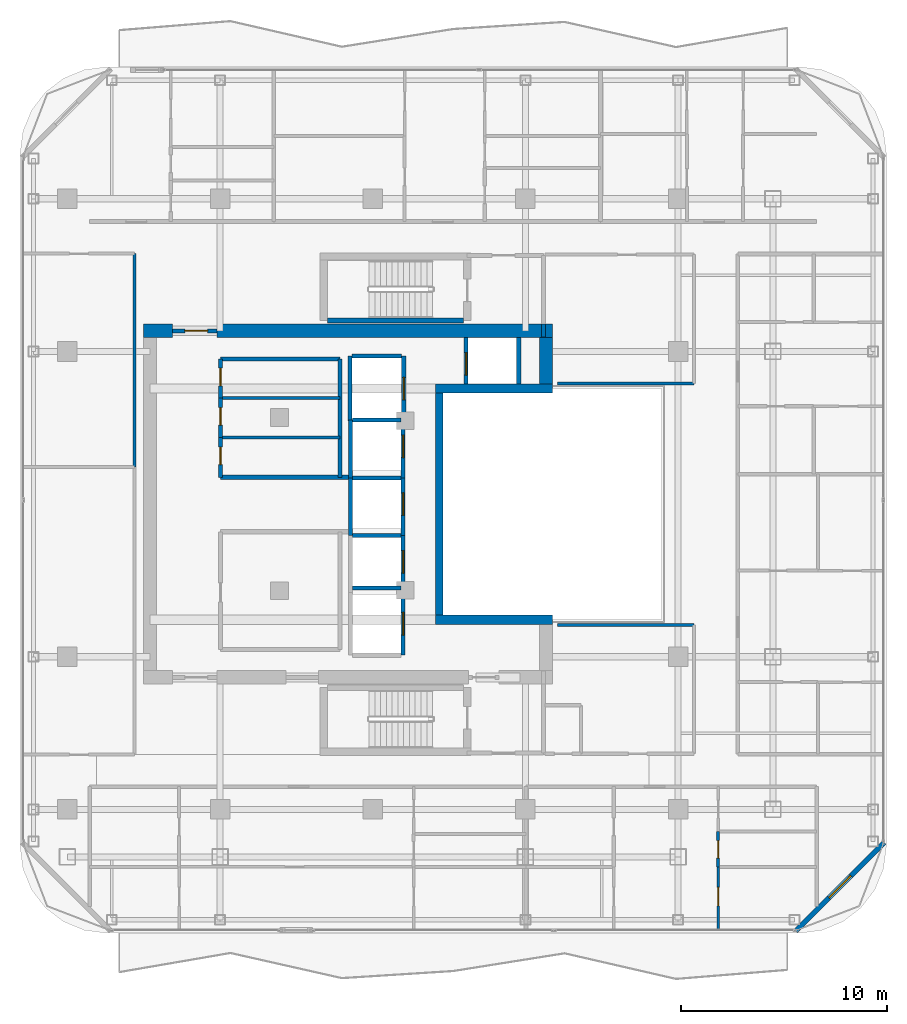
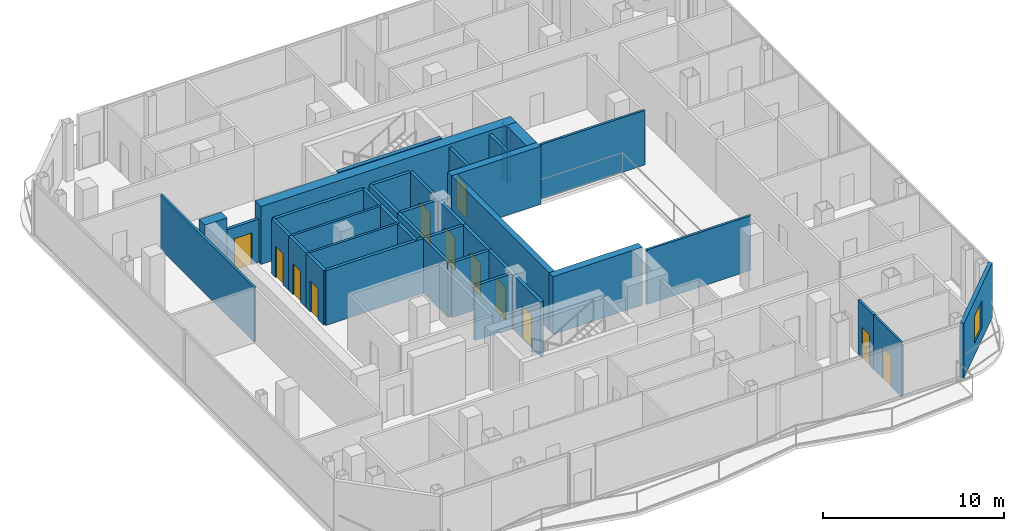
# One storey, part 17 of 23: 38 walls, 12 doors, 1 window, 13 openings.
"""IFC4 building model written with IfcOpenShell, lengths in metres."""

from ifc_helpers import new_model, si_unit, direction, frame, frame_2d, origin, place, context, subcontext, project, spatial, rectangle, extrude, material, layer, layer_set, type_object, element, fill, save


model = new_model("IFC4")

# Units and contexts
model_context = context("Model", 3, precision=1e-05, world=origin(), true_north=direction((0.0, 1.0)))
body_context = subcontext(model_context, "Body", "Model", "MODEL_VIEW")
ifc_project = project(units=[si_unit("LENGTHUNIT", "METRE"), si_unit("AREAUNIT", "SQUARE_METRE"), si_unit("VOLUMEUNIT", "CUBIC_METRE"), si_unit("PLANEANGLEUNIT", "RADIAN"), si_unit("MASSUNIT", "GRAM", prefix="KILO")], contexts=[model_context])

# Site, building, storey
site_placement = place(None, origin())
site = spatial("IfcSite", under=ifc_project, at=site_placement, CompositionType="ELEMENT")
building_placement = place(site_placement, origin())
building = spatial("IfcBuilding", under=site, at=building_placement, Name="Khorvyn Point Tower", CompositionType="ELEMENT")
storey_placement = place(building_placement, frame((0.0, 0.0, 258.60009765625)))
storey = spatial("IfcBuildingStorey", under=building, at=storey_placement, Name="L63", CompositionType="ELEMENT", Elevation=258.60009765625)

# Wall, opening, window
ifc_material_1 = material(Name="Pale anodised aluminium rainscreen on steel stud", Category="steel")
ifc_layer_1 = layer(ifc_material_1, 0.239990234375)
ifc_layer_set_1 = layer_set([ifc_layer_1], Name="Anodised Aluminium Insulated Corner Spandrel Wall 240")
wall_type_1 = type_object("IfcWallType", Name="Anodised Aluminium Insulated Corner Spandrel Wall 240", PredefinedType="SOLIDWALL", material=ifc_layer_set_1)
wall_1_placement = place(storey_placement, frame((24.79248046875, -16.40771484375, 0.0), z_axis=(0.0, 0.0, 1.0), x_axis=(-0.707126925818, -0.707086635981, 0.0)))
wall_1 = element("IfcWall", 1, at=wall_1_placement, inside=storey, type_object=wall_type_1, Name="L63 Rounded Corner Wall SE", PredefinedType="SOLIDWALL", context=body_context, shape_type="SweptSolid", body=[
    extrude(rectangle(XDim=6.0595703125, YDim=0.239990234375, at=frame_2d((3.02978515625, 0.0))), origin(), (0.0, 0.0, 1.0), 3.679931640625),
])
opening_1_placement = place(wall_1_placement, frame((2.27978515625, 0.0, 0.800048828125)))
opening_1 = element("IfcOpeningElement", 2, at=opening_1_placement, cuts=wall_1, Name="Opening WN-1518", PredefinedType="OPENING", context=body_context, shape_type="SweptSolid", body=[
    extrude(rectangle(XDim=1.5, YDim=1.85009765625, at=frame_2d((0.75, 0.925048828125))), frame((0.0, 0.1298828125, 0.0), z_axis=(0.0, -1.0, 0.0), x_axis=(1.0, 0.0, 0.0)), (0.0, 0.0, 1.0), 0.260009765625),
])
ifc_material_2 = material(Name="Anodised aluminium 6063-T6 and laminated Low-E glass", Category="aluminium")
window_type = type_object("IfcWindowType", Name="Anodised Aluminium Rounded-Corner Panoramic Window 1500x1850", PartitioningType="SINGLE_PANEL", PredefinedType="WINDOW", material=ifc_material_2)
window_placement = place(opening_1_placement, origin())
window = element("IfcWindow", 3, at=window_placement, inside=storey, type_object=window_type, Name="L63 Corner Panoramic Window SE", OverallHeight=1.85009765625, OverallWidth=1.5, PartitioningType="SINGLE_PANEL", PredefinedType="WINDOW", context=body_context, shape_type="SweptSolid", body=[
    extrude(rectangle(XDim=1.5, YDim=1.85009765625, at=frame_2d((0.75, 0.925048828125))), frame((0.0, 0.030029296875, 0.0), z_axis=(0.0, -1.0, 0.0), x_axis=(1.0, 0.0, 0.0)), (0.0, 0.0, 1.0), 0.06005859375),
])
fill(opening_1, window)

# Walls
ifc_material_3 = material(Name="Concrete C40/50", Category="concrete")
ifc_layer_2 = layer(ifc_material_3, 0.449951171875)
ifc_layer_set_2 = layer_set([ifc_layer_2], Name="Concrete C40/50 Core Shear Wall 450")
wall_type_2 = type_object("IfcWallType", Name="Concrete C40/50 Core Shear Wall 450", PredefinedType="SHEAR", material=ifc_layer_set_2)
for number, where, z_axis, x_axis, name in (
    (4, (3.044921875, -5.60009765625, 0.0), (0.0, 0.0, 1.0), (1.0, 0.0, 0.0), "Wall"),
    (5, (3.044921875, 5.60009765625, 0.0), (0.0, 0.0, 1.0), (1.0, 0.0, 0.0), "Wall"),
):
    element("IfcWall", number, at=place(storey_placement, frame(where, z_axis=z_axis, x_axis=x_axis)), inside=storey, type_object=wall_type_2, Name=name, PredefinedType="SHEAR", context=body_context, shape_type="SweptSolid", body=[
        extrude(rectangle(XDim=5.68017578125, YDim=0.449951171875, at=frame_2d((2.840087890625, 0.0))), origin(), (0.0, 0.0, 1.0), 3.89990234375),
    ])
ifc_layer_3 = layer(ifc_material_3, 0.64990234375)
ifc_layer_set_3 = layer_set([ifc_layer_3], Name="Concrete C40/50 Core Shear Wall 650")
wall_type_3 = type_object("IfcWallType", Name="Concrete C40/50 Core Shear Wall 650", PredefinedType="SHEAR", material=ifc_layer_set_3)
wall_2_placement = place(storey_placement, frame((-11.125, 8.39990234375, 0.0), z_axis=(0.0, 0.0, 1.0), x_axis=(1.0, 0.0, 0.0)))
element("IfcWall", 6, at=wall_2_placement, inside=storey, type_object=wall_type_3, Name="Wall", PredefinedType="SHEAR", context=body_context, shape_type="SweptSolid", body=[
    extrude(rectangle(XDim=1.425048828125, YDim=0.64990234375, at=frame_2d((0.71240234375, 0.0))), origin(), (0.0, 0.0, 1.0), 3.89990234375),
])
wall_3_placement = place(storey_placement, frame((-7.550048828125, 8.39990234375, 0.0), z_axis=(0.0, 0.0, 1.0), x_axis=(1.0, 0.0, 0.0)))
element("IfcWall", 7, at=wall_3_placement, inside=storey, type_object=wall_type_3, Name="Wall", PredefinedType="SHEAR", context=body_context, shape_type="SweptSolid", body=[
    extrude(rectangle(XDim=16.275146484375, YDim=0.64990234375, at=frame_2d((8.1376953125, 0.0))), origin(), (0.0, 0.0, 1.0), 3.89990234375),
])
wall_4_placement = place(storey_placement, frame((8.39990234375, 5.824951171875, 0.0), z_axis=(0.0, 0.0, 1.0), x_axis=(0.0, 1.0, 0.0)))
element("IfcWall", 8, at=wall_4_placement, inside=storey, type_object=wall_type_3, Name="Wall", PredefinedType="SHEAR", context=body_context, shape_type="SweptSolid", body=[
    extrude(rectangle(XDim=2.25, YDim=0.64990234375, at=frame_2d((1.125, 0.0))), origin(), (0.0, 0.0, 1.0), 3.89990234375),
])

# Wall, opening, door
ifc_layer_4 = layer(ifc_material_3, 0.199951171875)
ifc_layer_set_4 = layer_set([ifc_layer_4], Name="Concrete C40/50 Fire-Lobby Compartment Wall 200")
wall_type_4 = type_object("IfcWallType", Name="Concrete C40/50 Fire-Lobby Compartment Wall 200", PredefinedType="SOLIDWALL", material=ifc_layer_set_4)
wall_5_placement = place(storey_placement, frame((-9.699951171875, 8.39990234375, 0.0), z_axis=(0.0, 0.0, 1.0), x_axis=(1.0, 0.0, 0.0)))
wall_5 = element("IfcWall", 9, at=wall_5_placement, inside=storey, type_object=wall_type_4, Name="Wall", PredefinedType="SOLIDWALL", context=body_context, shape_type="SweptSolid", body=[
    extrude(rectangle(XDim=2.14990234375, YDim=0.199951171875, at=frame_2d((1.074951171875, 0.0))), origin(), (0.0, 0.0, 1.0), 2.919921875),
])
opening_2_placement = place(wall_5_placement, frame((0.597900390625, 0.0, 0.0)))
opening_2 = element("IfcOpeningElement", 10, at=opening_2_placement, cuts=wall_5, Name="Opening ID-FL90", PredefinedType="OPENING", context=body_context, shape_type="SweptSolid", body=[
    extrude(rectangle(XDim=1.10009765625, YDim=2.14990234375, at=frame_2d((0.550048828125, 1.074951171875))), frame((0.0, 0.10986328125, 0.0), z_axis=(0.0, -1.0, 0.0), x_axis=(1.0, 0.0, 0.0)), (0.0, 0.0, 1.0), 0.219970703125),
])
ifc_material_4 = material(Name="Galvanised powder-coated steel", Category="steel")
door_type_1 = type_object("IfcDoorType", Name="Fire-Rated Steel Lobby and Stair Door 1100x2150", OperationType="NOTDEFINED", PredefinedType="DOOR", material=ifc_material_4)
door_1_placement = place(opening_2_placement, origin())
door_1 = element("IfcDoor", 11, at=door_1_placement, inside=storey, type_object=door_type_1, Name="Door", OperationType="SINGLE_SWING_LEFT", OverallHeight=2.14990234375, OverallWidth=1.10009765625, PredefinedType="DOOR", context=body_context, shape_type="SweptSolid", body=[
    extrude(rectangle(XDim=1.10009765625, YDim=2.14990234375, at=frame_2d((0.550048828125, 1.074951171875))), frame((0.0, 0.02490234375, 0.0), z_axis=(0.0, -1.0, 0.0), x_axis=(1.0, 0.0, 0.0)), (0.0, 0.0, 1.0), 0.050048828125),
])
fill(opening_2, door_1)

wall_6_placement = place(storey_placement, frame((-7.3798828125, 1.300048828125, 0.0), z_axis=(0.0, 0.0, 1.0), x_axis=(0.0, 1.0, 0.0)))
wall_6 = element("IfcWall", 12, at=wall_6_placement, inside=storey, type_object=wall_type_4, Name="Wall", PredefinedType="SOLIDWALL", context=body_context, shape_type="SweptSolid", body=[
    extrude(rectangle(XDim=1.919921875, YDim=0.199951171875, at=frame_2d((0.9599609375, 0.0))), origin(), (0.0, 0.0, 1.0), 3.679931640625),
])
opening_3_placement = place(wall_6_placement, frame((0.610107421875, 0.0, 0.0)))
opening_3 = element("IfcOpeningElement", 13, at=opening_3_placement, cuts=wall_6, Name="Opening ID-WC85", PredefinedType="OPENING", context=body_context, shape_type="SweptSolid", body=[
    extrude(rectangle(XDim=0.85009765625, YDim=2.10009765625, at=frame_2d((0.425048828125, 1.050048828125))), frame((0.0, 0.10986328125, 0.0), z_axis=(0.0, -1.0, 0.0), x_axis=(1.0, 0.0, 0.0)), (0.0, 0.0, 1.0), 0.219970703125),
])
ifc_material_5 = material(Name="High-pressure laminate on moisture-resistant core", Category="wood")
door_type_2 = type_object("IfcDoorType", Name="Moisture-Resistant Accessible Washroom Door 850x2100", OperationType="NOTDEFINED", PredefinedType="DOOR", material=ifc_material_5)
door_2_placement = place(opening_3_placement, origin())
door_2 = element("IfcDoor", 14, at=door_2_placement, inside=storey, type_object=door_type_2, Name="Door", OperationType="SINGLE_SWING_LEFT", OverallHeight=2.10009765625, OverallWidth=0.85009765625, PredefinedType="DOOR", context=body_context, shape_type="SweptSolid", body=[
    extrude(rectangle(XDim=0.85009765625, YDim=2.10009765625, at=frame_2d((0.425048828125, 1.050048828125))), frame((0.0, 0.02490234375, 0.0), z_axis=(0.0, -1.0, 0.0), x_axis=(1.0, 0.0, 0.0)), (0.0, 0.0, 1.0), 0.050048828125),
])
fill(opening_3, door_2)

wall_7_placement = place(storey_placement, frame((-7.3798828125, 3.219970703125, 0.0), z_axis=(0.0, 0.0, 1.0), x_axis=(0.0, 1.0, 0.0)))
wall_7 = element("IfcWall", 15, at=wall_7_placement, inside=storey, type_object=wall_type_4, Name="Wall", PredefinedType="SOLIDWALL", context=body_context, shape_type="SweptSolid", body=[
    extrude(rectangle(XDim=1.919921875, YDim=0.199951171875, at=frame_2d((0.9599609375, 0.0))), origin(), (0.0, 0.0, 1.0), 3.679931640625),
])
opening_4_placement = place(wall_7_placement, frame((0.610107421875, 0.0, 0.0)))
opening_4 = element("IfcOpeningElement", 16, at=opening_4_placement, cuts=wall_7, Name="Opening ID-WC85", PredefinedType="OPENING", context=body_context, shape_type="SweptSolid", body=[
    extrude(rectangle(XDim=0.85009765625, YDim=2.10009765625, at=frame_2d((0.425048828125, 1.050048828125))), frame((0.0, 0.10986328125, 0.0), z_axis=(0.0, -1.0, 0.0), x_axis=(1.0, 0.0, 0.0)), (0.0, 0.0, 1.0), 0.219970703125),
])
door_3_placement = place(opening_4_placement, origin())
door_3 = element("IfcDoor", 17, at=door_3_placement, inside=storey, type_object=door_type_2, Name="Door", OperationType="SINGLE_SWING_RIGHT", OverallHeight=2.10009765625, OverallWidth=0.85009765625, PredefinedType="DOOR", context=body_context, shape_type="SweptSolid", body=[
    extrude(rectangle(XDim=0.85009765625, YDim=2.10009765625, at=frame_2d((0.425048828125, 1.050048828125))), frame((0.0, 0.02490234375, 0.0), z_axis=(0.0, -1.0, 0.0), x_axis=(1.0, 0.0, 0.0)), (0.0, 0.0, 1.0), 0.050048828125),
])
fill(opening_4, door_3)

wall_8_placement = place(storey_placement, frame((-7.3798828125, 5.139892578125, 0.0), z_axis=(0.0, 0.0, 1.0), x_axis=(0.0, 1.0, 0.0)))
wall_8 = element("IfcWall", 18, at=wall_8_placement, inside=storey, type_object=wall_type_4, Name="Wall", PredefinedType="SOLIDWALL", context=body_context, shape_type="SweptSolid", body=[
    extrude(rectangle(XDim=1.900146484375, YDim=0.199951171875, at=frame_2d((0.9501953125, 0.0))), origin(), (0.0, 0.0, 1.0), 3.679931640625),
])
opening_5_placement = place(wall_8_placement, frame((0.597900390625, 0.0, 0.0)))
opening_5 = element("IfcOpeningElement", 19, at=opening_5_placement, cuts=wall_8, Name="Opening ID-WC85", PredefinedType="OPENING", context=body_context, shape_type="SweptSolid", body=[
    extrude(rectangle(XDim=0.85009765625, YDim=2.10009765625, at=frame_2d((0.425048828125, 1.050048828125))), frame((0.0, 0.10986328125, 0.0), z_axis=(0.0, -1.0, 0.0), x_axis=(1.0, 0.0, 0.0)), (0.0, 0.0, 1.0), 0.219970703125),
])
door_4_placement = place(opening_5_placement, origin())
door_4 = element("IfcDoor", 20, at=door_4_placement, inside=storey, type_object=door_type_2, Name="Door", OperationType="SINGLE_SWING_LEFT", OverallHeight=2.10009765625, OverallWidth=0.85009765625, PredefinedType="DOOR", context=body_context, shape_type="SweptSolid", body=[
    extrude(rectangle(XDim=0.85009765625, YDim=2.10009765625, at=frame_2d((0.425048828125, 1.050048828125))), frame((0.0, 0.02490234375, 0.0), z_axis=(0.0, -1.0, 0.0), x_axis=(1.0, 0.0, 0.0)), (0.0, 0.0, 1.0), 0.050048828125),
])
fill(opening_5, door_4)

# Walls
wall_9_placement = place(storey_placement, frame((-7.3798828125, 1.300048828125, 0.0), z_axis=(0.0, 0.0, 1.0), x_axis=(1.0, 0.0, 0.0)))
element("IfcWall", 21, at=wall_9_placement, inside=storey, type_object=wall_type_4, Name="Wall", PredefinedType="SOLIDWALL", context=body_context, shape_type="SweptSolid", body=[
    extrude(rectangle(XDim=6.239990234375, YDim=0.199951171875, at=frame_2d((3.1201171875, 0.0))), origin(), (0.0, 0.0, 1.0), 3.679931640625),
])
wall_10_placement = place(storey_placement, frame((-1.580078125, 1.300048828125, 0.0), z_axis=(0.0, 0.0, 1.0), x_axis=(0.0, 1.0, 0.0)))
element("IfcWall", 22, at=wall_10_placement, inside=storey, type_object=wall_type_4, Name="Wall", PredefinedType="SOLIDWALL", context=body_context, shape_type="SweptSolid", body=[
    extrude(rectangle(XDim=5.739990234375, YDim=0.199951171875, at=frame_2d((2.8701171875, 0.0))), origin(), (0.0, 0.0, 1.0), 3.679931640625),
])
wall_11_placement = place(storey_placement, frame((-7.3798828125, 7.0400390625, 0.0), z_axis=(0.0, 0.0, 1.0), x_axis=(1.0, 0.0, 0.0)))
element("IfcWall", 23, at=wall_11_placement, inside=storey, type_object=wall_type_4, Name="Wall", PredefinedType="SOLIDWALL", context=body_context, shape_type="SweptSolid", body=[
    extrude(rectangle(XDim=5.7998046875, YDim=0.199951171875, at=frame_2d((2.89990234375, 0.0))), origin(), (0.0, 0.0, 1.0), 3.679931640625),
])
wall_12_placement = place(storey_placement, frame((8.280029296875, 8.10009765625, 0.0), z_axis=(0.0, 0.0, 1.0), x_axis=(0.0, 1.0, 0.0)))
element("IfcWall", 24, at=wall_12_placement, inside=storey, type_object=wall_type_4, Name="Wall", PredefinedType="SOLIDWALL", context=body_context, shape_type="SweptSolid", body=[
    extrude(rectangle(XDim=0.625, YDim=0.199951171875, at=frame_2d((0.3125, 0.0))), origin(), (0.0, 0.0, 1.0), 3.679931640625),
])
ifc_layer_5 = layer(ifc_material_3, 0.25)
ifc_layer_set_5 = layer_set([ifc_layer_5], Name="Concrete C40/50 Stair Inner Cheek Structural Wall 250")
wall_type_5 = type_object("IfcWallType", Name="Concrete C40/50 Stair Inner Cheek Structural Wall 250", PredefinedType="SHEAR", material=ifc_layer_set_5)
wall_13_placement = place(storey_placement, frame((-2.199951171875, 8.89990234375, 0.0), z_axis=(0.0, 0.0, 1.0), x_axis=(1.0, 0.0, 0.0)))
element("IfcWall", 25, at=wall_13_placement, inside=storey, type_object=wall_type_5, Name="Wall", PredefinedType="SHEAR", context=body_context, shape_type="SweptSolid", body=[
    extrude(rectangle(XDim=6.599853515625, YDim=0.25, at=frame_2d((3.2998046875, 0.0))), origin(), (0.0, 0.0, 1.0), 3.89990234375),
])
ifc_layer_6 = layer(ifc_material_3, 0.35009765625)
ifc_layer_set_6 = layer_set([ifc_layer_6], Name="Concrete C40/50 Stair Shaft Structural Wall 350")
wall_type_6 = type_object("IfcWallType", Name="Concrete C40/50 Stair Shaft Structural Wall 350", PredefinedType="SHEAR", material=ifc_layer_set_6)
wall_14_placement = place(storey_placement, frame((3.219970703125, -5.375, 0.0), z_axis=(0.0, 0.0, 1.0), x_axis=(0.0, 1.0, 0.0)))
element("IfcWall", 26, at=wall_14_placement, inside=storey, type_object=wall_type_6, Name="Wall", PredefinedType="SHEAR", context=body_context, shape_type="SweptSolid", body=[
    extrude(rectangle(XDim=10.75, YDim=0.35009765625, at=frame_2d((5.375, 0.0))), origin(), (0.0, 0.0, 1.0), 3.89990234375),
])

# Wall, opening, door
ifc_layer_7 = layer(ifc_material_3, 0.199951171875)
ifc_layer_set_7 = layer_set([ifc_layer_7], Name="Concrete C40/50 Structural Hoistway and Stair Shaft Wall 200")
wall_type_7 = type_object("IfcWallType", Name="Concrete C40/50 Structural Hoistway and Stair Shaft Wall 200", PredefinedType="SHEAR", material=ifc_layer_set_7)
wall_15_placement = place(storey_placement, frame((1.47509765625, -4.27490234375, 0.0), z_axis=(0.0, 0.0, 1.0), x_axis=(0.0, 1.0, 0.0)))
wall_15 = element("IfcWall", 27, at=wall_15_placement, inside=storey, type_object=wall_type_7, Name="Wall", PredefinedType="SHEAR", context=body_context, shape_type="SweptSolid", body=[
    extrude(rectangle(XDim=2.75, YDim=0.199951171875, at=frame_2d((1.375, 0.0))), origin(), (0.0, 0.0, 1.0), 3.679931640625),
])
opening_6_placement = place(wall_15_placement, frame((0.925048828125, 0.0, 0.0)))
opening_6 = element("IfcOpeningElement", 28, at=opening_6_placement, cuts=wall_15, Name="Opening LD-1122", PredefinedType="OPENING", context=body_context, shape_type="SweptSolid", body=[
    extrude(rectangle(XDim=1.10009765625, YDim=2.199951171875, at=frame_2d((0.550048828125, 1.10009765625))), frame((0.0, 0.10986328125, 0.0), z_axis=(0.0, -1.0, 0.0), x_axis=(1.0, 0.0, 0.0)), (0.0, 0.0, 1.0), 0.219970703125),
])
ifc_material_6 = material(Name="Stainless steel 1.4301", Category="steel")
door_type_3 = type_object("IfcDoorType", Name="Stainless Steel Automatic Sliding Lift Landing Door 1100x2200", OperationType="SLIDING_TO_LEFT", PredefinedType="DOOR", material=ifc_material_6)
door_5_placement = place(opening_6_placement, origin())
door_5 = element("IfcDoor", 29, at=door_5_placement, inside=storey, type_object=door_type_3, Name="L63 RH-01 Sliding Lift Landing Door", OperationType="SLIDING_TO_LEFT", OverallHeight=2.199951171875, OverallWidth=1.10009765625, PredefinedType="DOOR", context=body_context, shape_type="SweptSolid", body=[
    extrude(rectangle(XDim=1.10009765625, YDim=2.199951171875, at=frame_2d((0.550048828125, 1.10009765625))), frame((0.0, 0.02490234375, 0.0), z_axis=(0.0, -1.0, 0.0), x_axis=(1.0, 0.0, 0.0)), (0.0, 0.0, 1.0), 0.050048828125),
])
fill(opening_6, door_5)

# Walls
for number, where, z_axis, x_axis, name in (
    (30, (-0.97509765625, -4.074951171875, 0.0), (0.0, 0.0, 1.0), (1.0, 0.0, 0.0), "Wall"),
    (31, (-0.97509765625, -1.52490234375, 0.0), (0.0, 0.0, 1.0), (1.0, 0.0, 0.0), "Wall"),
):
    element("IfcWall", number, at=place(storey_placement, frame(where, z_axis=z_axis, x_axis=x_axis)), inside=storey, type_object=wall_type_7, Name=name, PredefinedType="SHEAR", context=body_context, shape_type="SweptSolid", body=[
        extrude(rectangle(XDim=2.35009765625, YDim=0.199951171875, at=frame_2d((1.175048828125, 0.0))), origin(), (0.0, 0.0, 1.0), 3.679931640625),
    ])
wall_16_placement = place(storey_placement, frame((-1.074951171875, -1.52490234375, 0.0), z_axis=(0.0, 0.0, 1.0), x_axis=(0.0, 1.0, 0.0)))
element("IfcWall", 32, at=wall_16_placement, inside=storey, type_object=wall_type_7, Name="Wall", PredefinedType="SHEAR", context=body_context, shape_type="SweptSolid", body=[
    extrude(rectangle(XDim=2.7998046875, YDim=0.199951171875, at=frame_2d((1.39990234375, 0.0))), origin(), (0.0, 0.0, 1.0), 3.679931640625),
])

# Wall, opening, door
wall_17_placement = place(storey_placement, frame((1.47509765625, -1.52490234375, 0.0), z_axis=(0.0, 0.0, 1.0), x_axis=(0.0, 1.0, 0.0)))
wall_17 = element("IfcWall", 33, at=wall_17_placement, inside=storey, type_object=wall_type_7, Name="Wall", PredefinedType="SHEAR", context=body_context, shape_type="SweptSolid", body=[
    extrude(rectangle(XDim=2.7998046875, YDim=0.199951171875, at=frame_2d((1.39990234375, 0.0))), origin(), (0.0, 0.0, 1.0), 3.679931640625),
])
opening_7_placement = place(wall_17_placement, frame((0.97509765625, 0.0, 0.0)))
opening_7 = element("IfcOpeningElement", 34, at=opening_7_placement, cuts=wall_17, Name="Opening LD-1122", PredefinedType="OPENING", context=body_context, shape_type="SweptSolid", body=[
    extrude(rectangle(XDim=1.10009765625, YDim=2.199951171875, at=frame_2d((0.550048828125, 1.10009765625))), frame((0.0, 0.10986328125, 0.0), z_axis=(0.0, -1.0, 0.0), x_axis=(1.0, 0.0, 0.0)), (0.0, 0.0, 1.0), 0.219970703125),
])
door_6_placement = place(opening_7_placement, origin())
door_6 = element("IfcDoor", 35, at=door_6_placement, inside=storey, type_object=door_type_3, Name="L63 RH-02 Sliding Lift Landing Door", OperationType="SLIDING_TO_LEFT", OverallHeight=2.199951171875, OverallWidth=1.10009765625, PredefinedType="DOOR", context=body_context, shape_type="SweptSolid", body=[
    extrude(rectangle(XDim=1.10009765625, YDim=2.199951171875, at=frame_2d((0.550048828125, 1.10009765625))), frame((0.0, 0.02490234375, 0.0), z_axis=(0.0, -1.0, 0.0), x_axis=(1.0, 0.0, 0.0)), (0.0, 0.0, 1.0), 0.050048828125),
])
fill(opening_7, door_6)

# Walls
wall_18_placement = place(storey_placement, frame((-0.97509765625, 1.27490234375, 0.0), z_axis=(0.0, 0.0, 1.0), x_axis=(1.0, 0.0, 0.0)))
element("IfcWall", 36, at=wall_18_placement, inside=storey, type_object=wall_type_7, Name="Wall", PredefinedType="SHEAR", context=body_context, shape_type="SweptSolid", body=[
    extrude(rectangle(XDim=2.35009765625, YDim=0.199951171875, at=frame_2d((1.175048828125, 0.0))), origin(), (0.0, 0.0, 1.0), 3.679931640625),
])
wall_19_placement = place(storey_placement, frame((-1.074951171875, 1.27490234375, 0.0), z_axis=(0.0, 0.0, 1.0), x_axis=(0.0, 1.0, 0.0)))
element("IfcWall", 37, at=wall_19_placement, inside=storey, type_object=wall_type_7, Name="Wall", PredefinedType="SHEAR", context=body_context, shape_type="SweptSolid", body=[
    extrude(rectangle(XDim=2.800048828125, YDim=0.199951171875, at=frame_2d((1.39990234375, 0.0))), origin(), (0.0, 0.0, 1.0), 3.679931640625),
])

# Wall, opening, door
wall_20_placement = place(storey_placement, frame((1.47509765625, 1.27490234375, 0.0), z_axis=(0.0, 0.0, 1.0), x_axis=(0.0, 1.0, 0.0)))
wall_20 = element("IfcWall", 38, at=wall_20_placement, inside=storey, type_object=wall_type_7, Name="Wall", PredefinedType="SHEAR", context=body_context, shape_type="SweptSolid", body=[
    extrude(rectangle(XDim=2.800048828125, YDim=0.199951171875, at=frame_2d((1.39990234375, 0.0))), origin(), (0.0, 0.0, 1.0), 3.679931640625),
])
opening_8_placement = place(wall_20_placement, frame((0.97509765625, 0.0, 0.0)))
opening_8 = element("IfcOpeningElement", 39, at=opening_8_placement, cuts=wall_20, Name="Opening LD-1122", PredefinedType="OPENING", context=body_context, shape_type="SweptSolid", body=[
    extrude(rectangle(XDim=1.10009765625, YDim=2.199951171875, at=frame_2d((0.550048828125, 1.10009765625))), frame((0.0, 0.10986328125, 0.0), z_axis=(0.0, -1.0, 0.0), x_axis=(1.0, 0.0, 0.0)), (0.0, 0.0, 1.0), 0.219970703125),
])
door_7_placement = place(opening_8_placement, origin())
door_7 = element("IfcDoor", 40, at=door_7_placement, inside=storey, type_object=door_type_3, Name="L63 RH-03 Sliding Lift Landing Door", OperationType="SLIDING_TO_LEFT", OverallHeight=2.199951171875, OverallWidth=1.10009765625, PredefinedType="DOOR", context=body_context, shape_type="SweptSolid", body=[
    extrude(rectangle(XDim=1.10009765625, YDim=2.199951171875, at=frame_2d((0.550048828125, 1.10009765625))), frame((0.0, 0.02490234375, 0.0), z_axis=(0.0, -1.0, 0.0), x_axis=(1.0, 0.0, 0.0)), (0.0, 0.0, 1.0), 0.050048828125),
])
fill(opening_8, door_7)

# Walls
wall_21_placement = place(storey_placement, frame((-0.97509765625, 4.074951171875, 0.0), z_axis=(0.0, 0.0, 1.0), x_axis=(1.0, 0.0, 0.0)))
element("IfcWall", 41, at=wall_21_placement, inside=storey, type_object=wall_type_7, Name="Wall", PredefinedType="SHEAR", context=body_context, shape_type="SweptSolid", body=[
    extrude(rectangle(XDim=2.35009765625, YDim=0.199951171875, at=frame_2d((1.175048828125, 0.0))), origin(), (0.0, 0.0, 1.0), 3.679931640625),
])
wall_22_placement = place(storey_placement, frame((-1.10009765625, 4.02490234375, 0.0), z_axis=(0.0, 0.0, 1.0), x_axis=(0.0, 1.0, 0.0)))
element("IfcWall", 42, at=wall_22_placement, inside=storey, type_object=wall_type_7, Name="Wall", PredefinedType="SHEAR", context=body_context, shape_type="SweptSolid", body=[
    extrude(rectangle(XDim=3.150146484375, YDim=0.199951171875, at=frame_2d((1.5751953125, 0.0))), origin(), (0.0, 0.0, 1.0), 3.679931640625),
])

# Wall, opening, door
wall_23_placement = place(storey_placement, frame((1.5, 4.02490234375, 0.0), z_axis=(0.0, 0.0, 1.0), x_axis=(0.0, 1.0, 0.0)))
wall_23 = element("IfcWall", 43, at=wall_23_placement, inside=storey, type_object=wall_type_7, Name="Wall", PredefinedType="SHEAR", context=body_context, shape_type="SweptSolid", body=[
    extrude(rectangle(XDim=3.150146484375, YDim=0.199951171875, at=frame_2d((1.5751953125, 0.0))), origin(), (0.0, 0.0, 1.0), 3.679931640625),
])
opening_9_placement = place(wall_23_placement, frame((1.02490234375, 0.0, 0.0)))
opening_9 = element("IfcOpeningElement", 44, at=opening_9_placement, cuts=wall_23, Name="Opening LD-1122", PredefinedType="OPENING", context=body_context, shape_type="SweptSolid", body=[
    extrude(rectangle(XDim=1.10009765625, YDim=2.199951171875, at=frame_2d((0.550048828125, 1.10009765625))), frame((0.0, 0.10986328125, 0.0), z_axis=(0.0, -1.0, 0.0), x_axis=(1.0, 0.0, 0.0)), (0.0, 0.0, 1.0), 0.219970703125),
])
door_8_placement = place(opening_9_placement, origin())
door_8 = element("IfcDoor", 45, at=door_8_placement, inside=storey, type_object=door_type_3, Name="L63 SV-01 Sliding Lift Landing Door", OperationType="SLIDING_TO_LEFT", OverallHeight=2.199951171875, OverallWidth=1.10009765625, PredefinedType="DOOR", context=body_context, shape_type="SweptSolid", body=[
    extrude(rectangle(XDim=1.10009765625, YDim=2.199951171875, at=frame_2d((0.550048828125, 1.10009765625))), frame((0.0, 0.02490234375, 0.0), z_axis=(0.0, -1.0, 0.0), x_axis=(1.0, 0.0, 0.0)), (0.0, 0.0, 1.0), 0.050048828125),
])
fill(opening_9, door_8)

# Wall
wall_24_placement = place(storey_placement, frame((-1.0, 7.175048828125, 0.0), z_axis=(0.0, 0.0, 1.0), x_axis=(1.0, 0.0, 0.0)))
element("IfcWall", 46, at=wall_24_placement, inside=storey, type_object=wall_type_7, Name="Wall", PredefinedType="SHEAR", context=body_context, shape_type="SweptSolid", body=[
    extrude(rectangle(XDim=2.39990234375, YDim=0.199951171875, at=frame_2d((1.199951171875, 0.0))), origin(), (0.0, 0.0, 1.0), 3.679931640625),
])

# Wall, opening, door
wall_25_placement = place(storey_placement, frame((1.47509765625, -7.324951171875, 0.0), z_axis=(0.0, 0.0, 1.0), x_axis=(0.0, 1.0, 0.0)))
wall_25 = element("IfcWall", 47, at=wall_25_placement, inside=storey, type_object=wall_type_7, Name="Wall", PredefinedType="SHEAR", context=body_context, shape_type="SweptSolid", body=[
    extrude(rectangle(XDim=3.050048828125, YDim=0.199951171875, at=frame_2d((1.52490234375, 0.0))), origin(), (0.0, 0.0, 1.0), 3.679931640625),
])
opening_10_placement = place(wall_25_placement, frame((0.97509765625, 0.0, 0.0)))
opening_10 = element("IfcOpeningElement", 48, at=opening_10_placement, cuts=wall_25, Name="Opening LD-1122", PredefinedType="OPENING", context=body_context, shape_type="SweptSolid", body=[
    extrude(rectangle(XDim=1.10009765625, YDim=2.199951171875, at=frame_2d((0.550048828125, 1.10009765625))), frame((0.0, 0.10986328125, 0.0), z_axis=(0.0, -1.0, 0.0), x_axis=(1.0, 0.0, 0.0)), (0.0, 0.0, 1.0), 0.219970703125),
])
door_9_placement = place(opening_10_placement, origin())
door_9 = element("IfcDoor", 49, at=door_9_placement, inside=storey, type_object=door_type_3, Name="L63 FF-01 Sliding Lift Landing Door", OperationType="SLIDING_TO_LEFT", OverallHeight=2.199951171875, OverallWidth=1.10009765625, PredefinedType="DOOR", context=body_context, shape_type="SweptSolid", body=[
    extrude(rectangle(XDim=1.10009765625, YDim=2.199951171875, at=frame_2d((0.550048828125, 1.10009765625))), frame((0.0, 0.02490234375, 0.0), z_axis=(0.0, -1.0, 0.0), x_axis=(1.0, 0.0, 0.0)), (0.0, 0.0, 1.0), 0.050048828125),
])
fill(opening_10, door_9)

wall_26_placement = place(storey_placement, frame((4.52490234375, 5.824951171875, 0.0), z_axis=(0.0, 0.0, 1.0), x_axis=(0.0, 1.0, 0.0)))
wall_26 = element("IfcWall", 50, at=wall_26_placement, inside=storey, type_object=wall_type_7, Name="Wall", PredefinedType="SHEAR", context=body_context, shape_type="SweptSolid", body=[
    extrude(rectangle(XDim=2.25, YDim=0.199951171875, at=frame_2d((1.125, 0.0))), origin(), (0.0, 0.0, 1.0), 3.679931640625),
])
opening_11_placement = place(wall_26_placement, frame((0.425048828125, 0.0, 0.0)))
opening_11 = element("IfcOpeningElement", 51, at=opening_11_placement, cuts=wall_26, Name="Opening LD-1122", PredefinedType="OPENING", context=body_context, shape_type="SweptSolid", body=[
    extrude(rectangle(XDim=1.10009765625, YDim=2.199951171875, at=frame_2d((0.550048828125, 1.10009765625))), frame((0.0, 0.10986328125, 0.0), z_axis=(0.0, -1.0, 0.0), x_axis=(1.0, 0.0, 0.0)), (0.0, 0.0, 1.0), 0.219970703125),
])
door_10_placement = place(opening_11_placement, origin())
door_10 = element("IfcDoor", 52, at=door_10_placement, inside=storey, type_object=door_type_3, Name="L63 FF-02 Sliding Lift Landing Door", OperationType="SLIDING_TO_LEFT", OverallHeight=2.199951171875, OverallWidth=1.10009765625, PredefinedType="DOOR", context=body_context, shape_type="SweptSolid", body=[
    extrude(rectangle(XDim=1.10009765625, YDim=2.199951171875, at=frame_2d((0.550048828125, 1.10009765625))), frame((0.0, 0.02490234375, 0.0), z_axis=(0.0, -1.0, 0.0), x_axis=(1.0, 0.0, 0.0)), (0.0, 0.0, 1.0), 0.050048828125),
])
fill(opening_11, door_10)

# Wall
wall_27_placement = place(storey_placement, frame((7.074951171875, 5.824951171875, 0.0), z_axis=(0.0, 0.0, 1.0), x_axis=(0.0, 1.0, 0.0)))
element("IfcWall", 53, at=wall_27_placement, inside=storey, type_object=wall_type_7, Name="Wall", PredefinedType="SHEAR", context=body_context, shape_type="SweptSolid", body=[
    extrude(rectangle(XDim=2.25, YDim=0.199951171875, at=frame_2d((1.125, 0.0))), origin(), (0.0, 0.0, 1.0), 3.679931640625),
])

# Wall, opening, door
ifc_material_7 = material(Name="Gypsum plasterboard on steel stud", Category="steel")
ifc_layer_8 = layer(ifc_material_7, 0.1201171875)
ifc_layer_set_8 = layer_set([ifc_layer_8], Name="Gypsum Acoustic Stud Room Partition Wall 120")
wall_type_8 = type_object("IfcWallType", Name="Gypsum Acoustic Stud Room Partition Wall 120", PredefinedType="PARTITIONING", material=ifc_layer_set_8)
wall_28_placement = place(storey_placement, frame((16.738037109375, -20.6298828125, 0.0), z_axis=(0.0, 0.0, 1.0), x_axis=(0.0, 1.0, 0.0)))
wall_28 = element("IfcWall", 54, at=wall_28_placement, inside=storey, type_object=wall_type_8, Name="Wall", PredefinedType="PARTITIONING", context=body_context, shape_type="SweptSolid", body=[
    extrude(rectangle(XDim=3.039794921875, YDim=0.1201171875, at=frame_2d((1.52001953125, 0.0))), origin(), (0.0, 0.0, 1.0), 3.679931640625),
])
opening_12_placement = place(wall_28_placement, frame((1.152587890625, 0.0, 0.0)))
opening_12 = element("IfcOpeningElement", 55, at=opening_12_placement, cuts=wall_28, Name="Opening ID-RM90", PredefinedType="OPENING", context=body_context, shape_type="SweptSolid", body=[
    extrude(rectangle(XDim=0.89990234375, YDim=2.10009765625, at=frame_2d((0.449951171875, 1.050048828125))), frame((0.0, 0.070068359375, 0.0), z_axis=(0.0, -1.0, 0.0), x_axis=(1.0, 0.0, 0.0)), (0.0, 0.0, 1.0), 0.14013671875),
])
ifc_material_8 = material(Name="Engineered oak veneer timber", Category="wood")
door_type_4 = type_object("IfcDoorType", Name="Flush Engineered Timber Room Door 900x2100", OperationType="NOTDEFINED", PredefinedType="DOOR", material=ifc_material_8)
door_11_placement = place(opening_12_placement, origin())
door_11 = element("IfcDoor", 56, at=door_11_placement, inside=storey, type_object=door_type_4, Name="Door", OperationType="SINGLE_SWING_RIGHT", OverallHeight=2.10009765625, OverallWidth=0.89990234375, PredefinedType="DOOR", context=body_context, shape_type="SweptSolid", body=[
    extrude(rectangle(XDim=0.89990234375, YDim=2.10009765625, at=frame_2d((0.449951171875, 1.050048828125))), frame((0.0, 0.02490234375, 0.0), z_axis=(0.0, -1.0, 0.0), x_axis=(1.0, 0.0, 0.0)), (0.0, 0.0, 1.0), 0.050048828125),
])
fill(opening_12, door_11)

ifc_material_9 = material(Name="Moisture-resistant gypsum and cement board", Category="gypsum")
ifc_layer_9 = layer(ifc_material_9, 0.14990234375)
ifc_layer_set_9 = layer_set([ifc_layer_9], Name="Moisture-Resistant Wet-Room Partition Wall 150")
wall_type_9 = type_object("IfcWallType", Name="Moisture-Resistant Wet-Room Partition Wall 150", PredefinedType="PARTITIONING", material=ifc_layer_set_9)
wall_29_placement = place(storey_placement, frame((16.738037109375, -17.590087890625, 0.0), z_axis=(0.0, 0.0, 1.0), x_axis=(0.0, 1.0, 0.0)))
wall_29 = element("IfcWall", 57, at=wall_29_placement, inside=storey, type_object=wall_type_9, Name="Wall", PredefinedType="PARTITIONING", context=body_context, shape_type="SweptSolid", body=[
    extrude(rectangle(XDim=1.712158203125, YDim=0.14990234375, at=frame_2d((0.85595703125, 0.0))), origin(), (0.0, 0.0, 1.0), 3.679931640625),
])
opening_13_placement = place(wall_29_placement, frame((0.430908203125, 0.0, 0.0)))
opening_13 = element("IfcOpeningElement", 58, at=opening_13_placement, cuts=wall_29, Name="Opening ID-WC85", PredefinedType="OPENING", context=body_context, shape_type="SweptSolid", body=[
    extrude(rectangle(XDim=0.85009765625, YDim=2.10009765625, at=frame_2d((0.425048828125, 1.050048828125))), frame((0.0, 0.0849609375, 0.0), z_axis=(0.0, -1.0, 0.0), x_axis=(1.0, 0.0, 0.0)), (0.0, 0.0, 1.0), 0.169921875),
])
door_12_placement = place(opening_13_placement, origin())
door_12 = element("IfcDoor", 59, at=door_12_placement, inside=storey, type_object=door_type_2, Name="Door", OperationType="SINGLE_SWING_RIGHT", OverallHeight=2.10009765625, OverallWidth=0.85009765625, PredefinedType="DOOR", context=body_context, shape_type="SweptSolid", body=[
    extrude(rectangle(XDim=0.85009765625, YDim=2.10009765625, at=frame_2d((0.425048828125, 1.050048828125))), frame((0.0, 0.02490234375, 0.0), z_axis=(0.0, -1.0, 0.0), x_axis=(1.0, 0.0, 0.0)), (0.0, 0.0, 1.0), 0.050048828125),
])
fill(opening_13, door_12)

# Walls
for number, where, z_axis, x_axis, name in (
    (60, (-7.3798828125, 3.219970703125, 0.0), (0.0, 0.0, 1.0), (1.0, 0.0, 0.0), "Wall"),
    (61, (-7.3798828125, 5.139892578125, 0.0), (0.0, 0.0, 1.0), (1.0, 0.0, 0.0), "Wall"),
):
    element("IfcWall", number, at=place(storey_placement, frame(where, z_axis=z_axis, x_axis=x_axis)), inside=storey, type_object=wall_type_9, Name=name, PredefinedType="PARTITIONING", context=body_context, shape_type="SweptSolid", body=[
        extrude(rectangle(XDim=5.7998046875, YDim=0.14990234375, at=frame_2d((2.89990234375, 0.0))), origin(), (0.0, 0.0, 1.0), 3.679931640625),
    ])
for number, where, z_axis, x_axis, name in (
    (62, (8.9599609375, -5.85009765625, 0.0), (0.0, 0.0, 1.0), (1.0, 0.0, 0.0), "Wall"),
    (63, (8.9599609375, 5.85009765625, 0.0), (0.0, 0.0, 1.0), (1.0, 0.0, 0.0), "Wall"),
):
    element("IfcWall", number, at=place(storey_placement, frame(where, z_axis=z_axis, x_axis=x_axis)), inside=storey, type_object=wall_type_9, Name=name, PredefinedType="PARTITIONING", context=body_context, shape_type="SweptSolid", body=[
        extrude(rectangle(XDim=6.6201171875, YDim=0.14990234375, at=frame_2d((3.31005859375, 0.0))), origin(), (0.0, 0.0, 1.0), 3.679931640625),
    ])
wall_30_placement = place(storey_placement, frame((-11.550048828125, 1.800048828125, 0.0), z_axis=(0.0, 0.0, 1.0), x_axis=(0.0, 1.0, 0.0)))
element("IfcWall", 64, at=wall_30_placement, inside=storey, type_object=wall_type_9, Name="Wall", PredefinedType="PARTITIONING", context=body_context, shape_type="SweptSolid", body=[
    extrude(rectangle(XDim=10.33984375, YDim=0.14990234375, at=frame_2d((5.169921875, 0.0))), origin(), (0.0, 0.0, 1.0), 3.679931640625),
])

save(model, "model.ifc")
